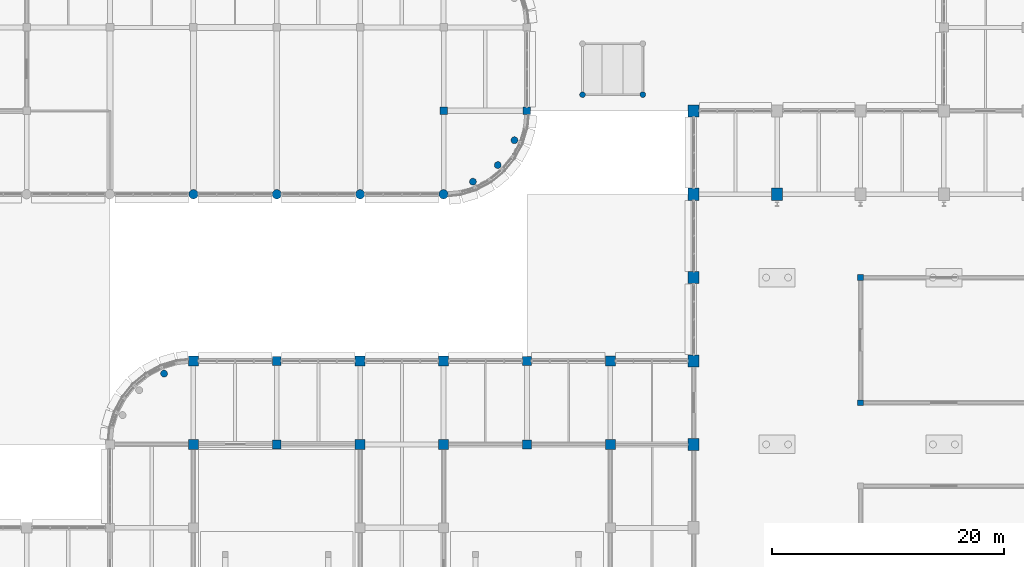
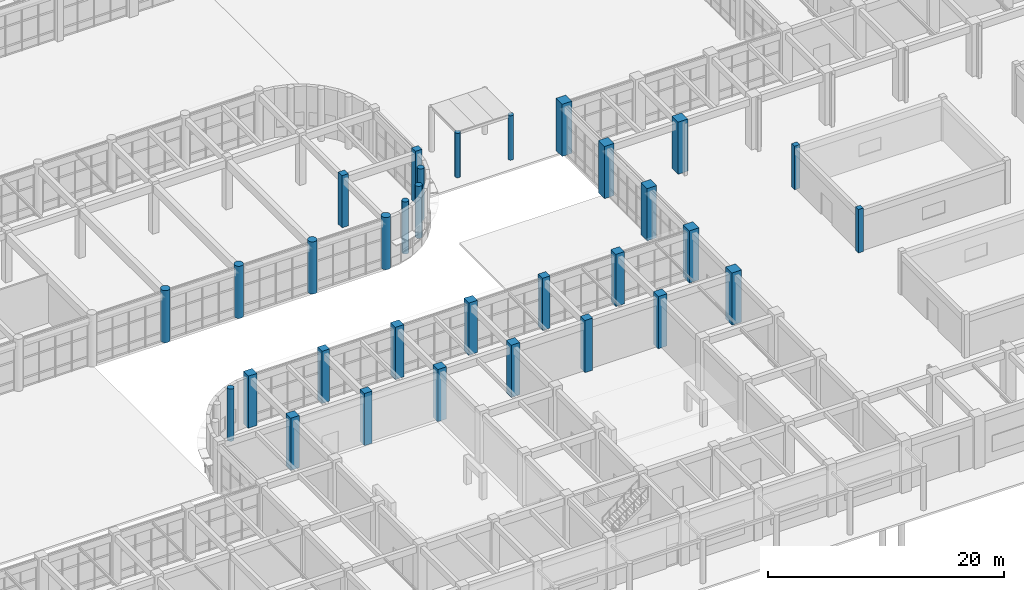
# One storey, part 5 of 160: 32 columns.
"""IFC4 building model written with IfcOpenShell, lengths in metres."""

from ifc_helpers import new_model, si_unit, direction, frame, origin, origin_2d, place, context, subcontext, project, spatial, rectangle, circle, extrude, material, material_profile, profile_set, type_object, element, save


model = new_model("IFC4")

# Units and contexts
model_context = context("Model", 3, precision=1e-05, world=origin(), true_north=direction((0.0, 1.0)))
body_context = subcontext(model_context, "Body", "Model", "MODEL_VIEW")
ifc_project = project(units=[si_unit("LENGTHUNIT", "METRE"), si_unit("AREAUNIT", "SQUARE_METRE"), si_unit("VOLUMEUNIT", "CUBIC_METRE"), si_unit("PLANEANGLEUNIT", "RADIAN"), si_unit("MASSUNIT", "GRAM", prefix="KILO")], contexts=[model_context])

# Site, building, storey
site_placement = place(None, origin())
site = spatial("IfcSite", under=ifc_project, at=site_placement, CompositionType="ELEMENT")
building_placement = place(site_placement, origin())
building = spatial("IfcBuilding", under=site, at=building_placement, Name="Thalmaran Polytechnic", CompositionType="ELEMENT")
storey_placement = place(building_placement, origin())
storey = spatial("IfcBuildingStorey", under=building, at=storey_placement, Name="L00", CompositionType="ELEMENT", Elevation=0.0)

# Columns
ifc_material_1 = material(Name="Concrete C40/50", Category="concrete")
ifc_material_profile_1 = material_profile(ifc_material_1, circle(Radius=0.25, at=origin_2d()), Name="RC 500 DIA")
ifc_profile_set_1 = profile_set([ifc_material_profile_1], Name="Concrete C40/50")
column_type_1 = type_object("IfcColumnType", Name="COL-AC1", PredefinedType="COLUMN", material=ifc_profile_set_1)
for number, where, z_axis, x_axis, name in (
    (1, (98.39990234375, 59.0, 0.0), (0.0, 0.0, 1.0), (1.0, 0.0, 0.0), "Court Canopy Column 0-59"),
    (2, (103.60009765625, 59.0, 0.0), (0.0, 0.0, 1.0), (1.0, 0.0, 0.0), "Court Canopy Column 1-59"),
):
    element("IfcColumn", number, at=place(storey_placement, frame(where, z_axis=z_axis, x_axis=x_axis)), inside=storey, type_object=column_type_1, Name=name, PredefinedType="COLUMN", context=body_context, shape_type="SweptSolid", body=[
        extrude(circle(Radius=0.25, at=origin_2d()), origin(), (0.0, 0.0, 1.0), 4.60009765625),
    ])
ifc_material_2 = material(Name="Concrete C50/60", Category="concrete")
ifc_material_profile_2 = material_profile(ifc_material_2, rectangle(XDim=0.85009765625, YDim=0.85009765625, at=origin_2d()), Name="RC 850x850")
ifc_profile_set_2 = profile_set([ifc_material_profile_2], Name="Concrete C50/60")
column_type_2 = type_object("IfcColumnType", Name="COL-C02", PredefinedType="COLUMN", material=ifc_profile_set_2)
for number, where, z_axis, x_axis, name in (
    (3, (64.800048828125, 28.800048828125, 0.0), (0.0, 0.0, 1.0), (1.0, 0.0, 0.0), "Column C02 L00 (9,4)"),
    (4, (64.800048828125, 36.0, 0.0), (0.0, 0.0, 1.0), (1.0, 0.0, 0.0), "Column C02 L00 (9,5)"),
    (5, (79.199951171875, 28.800048828125, 0.0), (0.0, 0.0, 1.0), (1.0, 0.0, 0.0), "Column C02 L00 (11,4)"),
    (6, (79.199951171875, 36.0, 0.0), (0.0, 0.0, 1.0), (1.0, 0.0, 0.0), "Column C02 L00 (11,5)"),
    (7, (86.39990234375, 28.800048828125, 0.0), (0.0, 0.0, 1.0), (1.0, 0.0, 0.0), "Column C02 L00 (12,4)"),
    (8, (86.39990234375, 36.0, 0.0), (0.0, 0.0, 1.0), (1.0, 0.0, 0.0), "Column C02 L00 (12,5)"),
    (9, (100.800048828125, 28.800048828125, 0.0), (0.0, 0.0, 1.0), (1.0, 0.0, 0.0), "Column C02 L00 (14,4)"),
    (10, (100.800048828125, 36.0, 0.0), (0.0, 0.0, 1.0), (1.0, 0.0, 0.0), "Column C02 L00 (14,5)"),
):
    element("IfcColumn", number, at=place(storey_placement, frame(where, z_axis=z_axis, x_axis=x_axis)), inside=storey, type_object=column_type_2, Name=name, PredefinedType="COLUMN", context=body_context, shape_type="SweptSolid", body=[
        extrude(rectangle(XDim=0.85009765625, YDim=0.85009765625, at=origin_2d()), origin(), (0.0, 0.0, 1.0), 5.39990234375),
    ])
ifc_material_profile_3 = material_profile(ifc_material_2, rectangle(XDim=0.75, YDim=0.75, at=origin_2d()), Name="RC 750x750")
ifc_profile_set_3 = profile_set([ifc_material_profile_3], Name="Concrete C50/60")
column_type_3 = type_object("IfcColumnType", Name="COL-C04", PredefinedType="COLUMN", material=ifc_profile_set_3)
for number, where, z_axis, x_axis, name in (
    (11, (72.0, 28.800048828125, 0.0), (0.0, 0.0, 1.0), (1.0, 0.0, 0.0), "Column C04 L00 (10,4)"),
    (12, (72.0, 36.0, 0.0), (0.0, 0.0, 1.0), (1.0, 0.0, 0.0), "Column C04 L00 (10,5)"),
    (13, (93.60009765625, 28.800048828125, 0.0), (0.0, 0.0, 1.0), (1.0, 0.0, 0.0), "Column C04 L00 (13,4)"),
    (14, (93.60009765625, 36.0, 0.0), (0.0, 0.0, 1.0), (1.0, 0.0, 0.0), "Column C04 L00 (13,5)"),
):
    element("IfcColumn", number, at=place(storey_placement, frame(where, z_axis=z_axis, x_axis=x_axis)), inside=storey, type_object=column_type_3, Name=name, PredefinedType="COLUMN", context=body_context, shape_type="SweptSolid", body=[
        extrude(rectangle(XDim=0.75, YDim=0.75, at=origin_2d()), origin(), (0.0, 0.0, 1.0), 5.39990234375),
    ])
ifc_material_profile_4 = material_profile(ifc_material_1, rectangle(XDim=0.64990234375, YDim=0.64990234375, at=origin_2d()), Name="RC 650x650")
ifc_profile_set_4 = profile_set([ifc_material_profile_4], Name="Concrete C40/50")
column_type_4 = type_object("IfcColumnType", Name="COL-C06", PredefinedType="COLUMN", material=ifc_profile_set_4)
for number, where, z_axis, x_axis, name in (
    (15, (86.39990234375, 57.60009765625, 0.0), (0.0, 0.0, 1.0), (1.0, 0.0, 0.0), "Column C06 L00 (12,8)"),
    (16, (93.60009765625, 57.60009765625, 0.0), (0.0, 0.0, 1.0), (1.0, 0.0, 0.0), "Column C06 L00 (13,8)"),
):
    element("IfcColumn", number, at=place(storey_placement, frame(where, z_axis=z_axis, x_axis=x_axis)), inside=storey, type_object=column_type_4, Name=name, PredefinedType="COLUMN", context=body_context, shape_type="SweptSolid", body=[
        extrude(rectangle(XDim=0.64990234375, YDim=0.64990234375, at=origin_2d()), origin(), (0.0, 0.0, 1.0), 5.39990234375),
    ])
ifc_material_profile_5 = material_profile(ifc_material_1, rectangle(XDim=0.5, YDim=0.5, at=origin_2d()), Name="RC 500x500")
ifc_profile_set_5 = profile_set([ifc_material_profile_5], Name="Concrete C40/50")
column_type_5 = type_object("IfcColumnType", Name="COL-C09", PredefinedType="COLUMN", material=ifc_profile_set_5)
for number, where, z_axis, x_axis, name in (
    (17, (122.39990234375, 32.39990234375, 0.0), (0.0, 0.0, 1.0), (1.0, 0.0, 0.0), "POD3 Frame Column L00"),
    (18, (122.39990234375, 43.199951171875, 0.0), (0.0, 0.0, 1.0), (1.0, 0.0, 0.0), "POD3 Frame Column L00"),
):
    element("IfcColumn", number, at=place(storey_placement, frame(where, z_axis=z_axis, x_axis=x_axis)), inside=storey, type_object=column_type_5, Name=name, PredefinedType="COLUMN", context=body_context, shape_type="SweptSolid", body=[
        extrude(rectangle(XDim=0.5, YDim=0.5, at=origin_2d()), origin(), (0.0, 0.0, 1.0), 4.5),
    ])
ifc_material_profile_6 = material_profile(ifc_material_2, circle(Radius=0.39990234375, at=origin_2d()), Name="RC 800 DIA")
ifc_profile_set_6 = profile_set([ifc_material_profile_6], Name="Concrete C50/60")
column_type_6 = type_object("IfcColumnType", Name="COL-C14", PredefinedType="COLUMN", material=ifc_profile_set_6)
for number, where, z_axis, x_axis, name in (
    (19, (64.800048828125, 50.39990234375, 0.0), (0.0, 0.0, 1.0), (1.0, 0.0, 0.0), "Column C14 L00 (9,7)"),
    (20, (72.0, 50.39990234375, 0.0), (0.0, 0.0, 1.0), (1.0, 0.0, 0.0), "Column C14 L00 (10,7)"),
    (21, (79.199951171875, 50.39990234375, 0.0), (0.0, 0.0, 1.0), (1.0, 0.0, 0.0), "Column C14 L00 (11,7)"),
    (22, (86.39990234375, 50.39990234375, 0.0), (0.0, 0.0, 1.0), (1.0, 0.0, 0.0), "Column C14 L00 (12,7)"),
):
    element("IfcColumn", number, at=place(storey_placement, frame(where, z_axis=z_axis, x_axis=x_axis)), inside=storey, type_object=column_type_6, Name=name, PredefinedType="COLUMN", context=body_context, shape_type="SweptSolid", body=[
        extrude(circle(Radius=0.39990234375, at=origin_2d()), origin(), (0.0, 0.0, 1.0), 5.39990234375),
    ])
ifc_material_profile_7 = material_profile(ifc_material_1, circle(Radius=0.300048828125, at=origin_2d()), Name="RC 600 DIA")
ifc_profile_set_7 = profile_set([ifc_material_profile_7], Name="Concrete C40/50")
column_type_7 = type_object("IfcColumnType", Name="COL-C16", PredefinedType="COLUMN", material=ifc_profile_set_7)
for number, where, z_axis, x_axis, name in (
    (23, (62.2666015625, 34.916015625, 0.0), (0.0, 0.0, 1.0), (1.0, 0.0, 0.0), "Prow Column LTP1 L00"),
    (24, (88.933349609375, 51.48388671875, 0.0), (0.0, 0.0, 1.0), (1.0, 0.0, 0.0), "Refectory Drum Column V6SE1 L00"),
    (25, (91.0810546875, 52.9189453125, 0.0), (0.0, 0.0, 1.0), (1.0, 0.0, 0.0), "Refectory Drum Column V6SE2 L00"),
    (26, (92.51611328125, 55.066650390625, 0.0), (0.0, 0.0, 1.0), (1.0, 0.0, 0.0), "Refectory Drum Column V6SE3 L00"),
):
    element("IfcColumn", number, at=place(storey_placement, frame(where, z_axis=z_axis, x_axis=x_axis)), inside=storey, type_object=column_type_7, Name=name, PredefinedType="COLUMN", context=body_context, shape_type="SweptSolid", body=[
        extrude(circle(Radius=0.300048828125, at=origin_2d()), origin(), (0.0, 0.0, 1.0), 5.39990234375),
    ])
ifc_material_profile_8 = material_profile(ifc_material_2, rectangle(XDim=0.949951171875, YDim=1.050048828125, at=origin_2d()), Name="RC 950x1050")
ifc_profile_set_8 = profile_set([ifc_material_profile_8], Name="Concrete C50/60")
column_type_8 = type_object("IfcColumnType", Name="COL-WP2", PredefinedType="COLUMN", material=ifc_profile_set_8)
for number, where, z_axis, x_axis, name in (
    (27, (108.0, 28.800048828125, 0.0), (0.0, 0.0, 1.0), (1.0, 0.0, 0.0), "Column WP2 L00 (15,4)"),
    (28, (108.0, 36.0, 0.0), (0.0, 0.0, 1.0), (1.0, 0.0, 0.0), "Column WP2 L00 (15,5)"),
    (29, (108.0, 43.199951171875, 0.0), (0.0, 0.0, 1.0), (1.0, 0.0, 0.0), "Column WP2 L00 (15,6)"),
    (30, (108.0, 50.39990234375, 0.0), (0.0, 0.0, 1.0), (1.0, 0.0, 0.0), "Column WP2 L00 (15,7)"),
    (31, (108.0, 57.60009765625, 0.0), (0.0, 0.0, 1.0), (1.0, 0.0, 0.0), "Column WP2 L00 (15,8)"),
    (32, (115.199951171875, 50.39990234375, 0.0), (0.0, 0.0, 1.0), (1.0, 0.0, 0.0), "Column WP2 L00 (16,7)"),
):
    element("IfcColumn", number, at=place(storey_placement, frame(where, z_axis=z_axis, x_axis=x_axis)), inside=storey, type_object=column_type_8, Name=name, PredefinedType="COLUMN", context=body_context, shape_type="SweptSolid", body=[
        extrude(rectangle(XDim=0.949951171875, YDim=1.050048828125, at=origin_2d()), origin(), (0.0, 0.0, 1.0), 5.39990234375),
    ])

save(model, "model.ifc")
